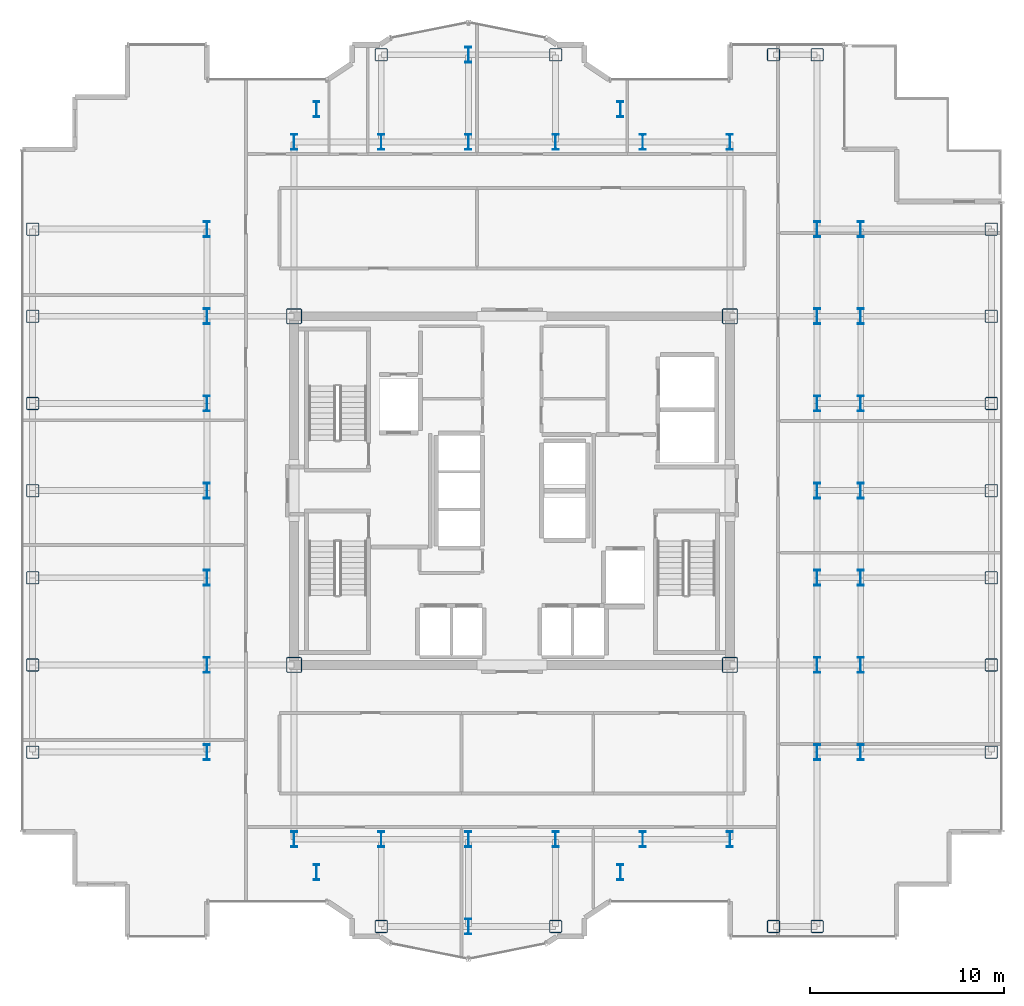
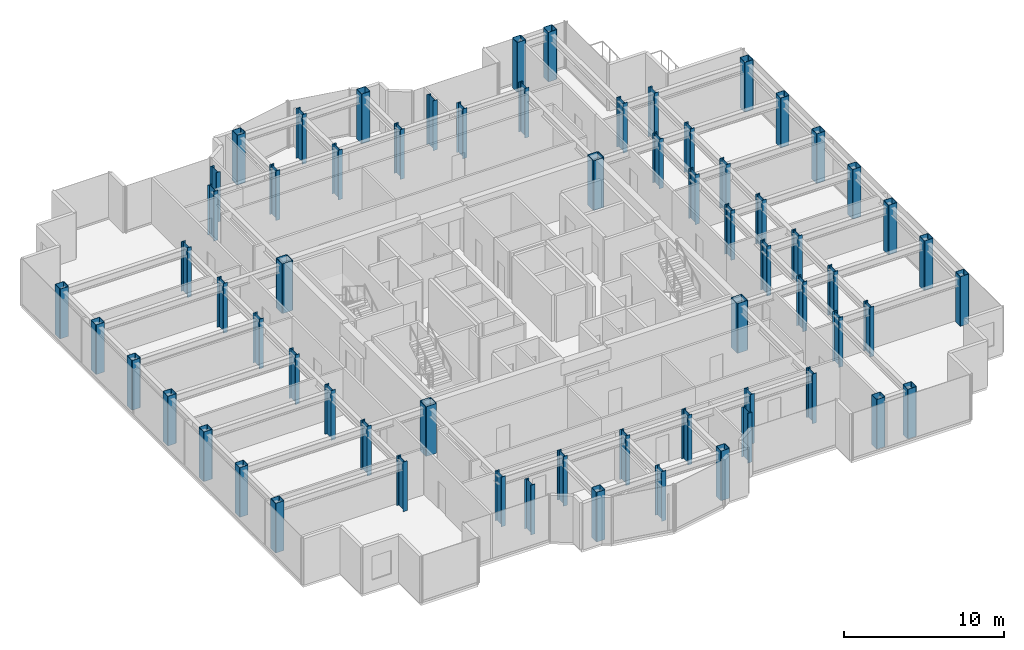
# One storey, part 1 of 20: 65 columns.
"""IFC4 building model written with IfcOpenShell, lengths in metres."""

from ifc_helpers import new_model, si_unit, direction, frame, origin, origin_2d, place, context, subcontext, project, spatial, hollow_rectangle, i_section, extrude, source, transform, mapped, material, material_profile, profile_set, type_object, element, save


model = new_model("IFC4")

# Units and contexts
model_context = context("Model", 3, precision=1e-05, world=origin(), true_north=direction((0.0, 1.0)))
body_context = subcontext(model_context, "Body", "Model", "MODEL_VIEW")
ifc_project = project(units=[si_unit("LENGTHUNIT", "METRE"), si_unit("AREAUNIT", "SQUARE_METRE"), si_unit("VOLUMEUNIT", "CUBIC_METRE"), si_unit("PLANEANGLEUNIT", "RADIAN"), si_unit("MASSUNIT", "GRAM", prefix="KILO")], contexts=[model_context])

# Site, building, storey
site_placement = place(None, origin())
site = spatial("IfcSite", under=ifc_project, at=site_placement, CompositionType="ELEMENT")
building_placement = place(site_placement, origin())
building = spatial("IfcBuilding", under=site, at=building_placement, Name="Nefas-Gora Pilgrimage Tower", CompositionType="ELEMENT")
storey_placement = place(building_placement, frame((0.0, 0.0, 221.800048828125)))
storey = spatial("IfcBuildingStorey", under=building, at=storey_placement, Name="L55", CompositionType="ELEMENT", Elevation=221.800048828125)

# Columns
ifc_material = material(Name="Steel S460", Category="steel")
ifc_material_profile_1 = material_profile(ifc_material, i_section(OverallWidth=0.302978515625, OverallDepth=0.81396484375, WebThickness=0.02099609375, FlangeThickness=0.0400390625, FilletRadius=0.030029296875, at=origin_2d()), Name="HEM 800")
ifc_profile_set_1 = profile_set([ifc_material_profile_1], Name="Steel S460")
column_type_1 = type_object("IfcColumnType", Name="COL-WEB-HEM800", PredefinedType="COLUMN", material=ifc_profile_set_1)
shared_shape_1 = source(origin(), body_context, "Body", "SweptSolid", [
    extrude(i_section(OverallWidth=0.302978515625, OverallDepth=0.81396484375, WebThickness=0.02099609375, FlangeThickness=0.0400390625, FilletRadius=0.030029296875, at=origin_2d()), origin(), (0.0, 0.0, 1.0), 3.800048828125),
])
for number, where, z_axis, x_axis, name in (
    (1, (-15.75, -13.5, 0.0), (0.0, 0.0, 1.0), (1.0, 0.0, 0.0), "L55 Tower Column CW-02.8"),
    (2, (-15.75, -9.0, 0.0), (0.0, 0.0, 1.0), (1.0, 0.0, 0.0), "L55 Tower Column CW-02.9"),
    (3, (-15.75, -4.5, 0.0), (0.0, 0.0, 1.0), (1.0, 0.0, 0.0), "L55 Tower Column CW-02.10"),
    (4, (-15.75, 0.0, 0.0), (0.0, 0.0, 1.0), (1.0, 0.0, 0.0), "L55 Tower Column CW-02.11"),
    (5, (-15.75, 4.5, 0.0), (0.0, 0.0, 1.0), (1.0, 0.0, 0.0), "L55 Tower Column CW-02.12"),
    (6, (-15.75, 9.0, 0.0), (0.0, 0.0, 1.0), (1.0, 0.0, 0.0), "L55 Tower Column CW-02.13"),
    (7, (-15.75, 13.5, 0.0), (0.0, 0.0, 1.0), (1.0, 0.0, 0.0), "L55 Tower Column CW-02.14"),
    (8, (-11.25, -18.0, 0.0), (0.0, 0.0, 1.0), (1.0, 0.0, 0.0), "L55 Tower Column CW-02.15"),
    (9, (-11.25, 18.0, 0.0), (0.0, 0.0, 1.0), (1.0, 0.0, 0.0), "L55 Tower Column CW-02.18"),
    (10, (-10.091064453125, -19.696044921875, 0.0), (0.0, 0.0, 1.0), (1.0, 0.0, 0.0), "L55 Tower Column CW-02.19"),
    (11, (-10.091064453125, 19.696044921875, 0.0), (0.0, 0.0, 1.0), (1.0, 0.0, 0.0), "L55 Tower Column CW-02.20"),
    (12, (-6.75, -18.0, 0.0), (0.0, 0.0, 1.0), (1.0, 0.0, 0.0), "L55 Tower Column CW-02.22"),
    (13, (-6.75, 18.0, 0.0), (0.0, 0.0, 1.0), (1.0, 0.0, 0.0), "L55 Tower Column CW-02.23"),
    (14, (-2.25, -22.5, 0.0), (0.0, 0.0, 1.0), (1.0, 0.0, 0.0), "L55 Tower Column CW-02.25"),
    (15, (-2.25, -18.0, 0.0), (0.0, 0.0, 1.0), (1.0, 0.0, 0.0), "L55 Tower Column CW-02.26"),
    (16, (-2.25, 18.0, 0.0), (0.0, 0.0, 1.0), (1.0, 0.0, 0.0), "L55 Tower Column CW-02.27"),
    (17, (-2.25, 22.5, 0.0), (0.0, 0.0, 1.0), (1.0, 0.0, 0.0), "L55 Tower Column CW-02.28"),
    (18, (2.25, -18.0, 0.0), (0.0, 0.0, 1.0), (1.0, 0.0, 0.0), "L55 Tower Column CW-02.30"),
    (19, (2.25, 18.0, 0.0), (0.0, 0.0, 1.0), (1.0, 0.0, 0.0), "L55 Tower Column CW-02.31"),
    (20, (5.591064453125, -19.696044921875, 0.0), (0.0, 0.0, 1.0), (1.0, 0.0, 0.0), "L55 Tower Column CW-02.33"),
    (21, (5.591064453125, 19.696044921875, 0.0), (0.0, 0.0, 1.0), (1.0, 0.0, 0.0), "L55 Tower Column CW-02.34"),
    (22, (6.75, -18.0, 0.0), (0.0, 0.0, 1.0), (1.0, 0.0, 0.0), "L55 Tower Column CW-02.35"),
    (23, (6.75, 18.0, 0.0), (0.0, 0.0, 1.0), (1.0, 0.0, 0.0), "L55 Tower Column CW-02.36"),
    (24, (11.25, -18.0, 0.0), (0.0, 0.0, 1.0), (1.0, 0.0, 0.0), "L55 Tower Column CW-02.37"),
    (25, (11.25, 18.0, 0.0), (0.0, 0.0, 1.0), (1.0, 0.0, 0.0), "L55 Tower Column CW-02.40"),
    (26, (15.75, -13.5, 0.0), (0.0, 0.0, 1.0), (1.0, 0.0, 0.0), "L55 Tower Column CW-02.44"),
    (27, (15.75, -9.0, 0.0), (0.0, 0.0, 1.0), (1.0, 0.0, 0.0), "L55 Tower Column CW-02.45"),
    (28, (15.75, -4.5, 0.0), (0.0, 0.0, 1.0), (1.0, 0.0, 0.0), "L55 Tower Column CW-02.46"),
    (29, (15.75, 0.0, 0.0), (0.0, 0.0, 1.0), (1.0, 0.0, 0.0), "L55 Tower Column CW-02.47"),
    (30, (15.75, 4.5, 0.0), (0.0, 0.0, 1.0), (1.0, 0.0, 0.0), "L55 Tower Column CW-02.48"),
    (31, (15.75, 9.0, 0.0), (0.0, 0.0, 1.0), (1.0, 0.0, 0.0), "L55 Tower Column CW-02.49"),
    (32, (15.75, 13.5, 0.0), (0.0, 0.0, 1.0), (1.0, 0.0, 0.0), "L55 Tower Column CW-02.50"),
    (33, (18.0, -13.5, 0.0), (0.0, 0.0, 1.0), (1.0, 0.0, 0.0), "L55 Tower Column CW-02.52"),
    (34, (18.0, -9.0, 0.0), (0.0, 0.0, 1.0), (1.0, 0.0, 0.0), "L55 Tower Column CW-02.53"),
    (35, (18.0, -4.5, 0.0), (0.0, 0.0, 1.0), (1.0, 0.0, 0.0), "L55 Tower Column CW-02.54"),
    (36, (18.0, 0.0, 0.0), (0.0, 0.0, 1.0), (1.0, 0.0, 0.0), "L55 Tower Column CW-02.55"),
    (37, (18.0, 4.5, 0.0), (0.0, 0.0, 1.0), (1.0, 0.0, 0.0), "L55 Tower Column CW-02.56"),
    (38, (18.0, 9.0, 0.0), (0.0, 0.0, 1.0), (1.0, 0.0, 0.0), "L55 Tower Column CW-02.57"),
    (39, (18.0, 13.5, 0.0), (0.0, 0.0, 1.0), (1.0, 0.0, 0.0), "L55 Tower Column CW-02.58"),
):
    element("IfcColumn", number, at=place(storey_placement, frame(where, z_axis=z_axis, x_axis=x_axis)), inside=storey, type_object=column_type_1, Name=name, PredefinedType="COLUMN", context=body_context, shape_type="MappedRepresentation", body=[
        mapped(shared_shape_1, transform((0.0, 0.0, 0.0), x_axis=(1.0, 0.0, 0.0), y_axis=(0.0, 1.0, 0.0), z_axis=(0.0, 0.0, 1.0), scale=1.0)),
    ])
ifc_material_profile_2 = material_profile(ifc_material, hollow_rectangle(XDim=0.800048828125, YDim=0.800048828125, WallThickness=0.0400390625, InnerFilletRadius=0.0400390625, OuterFilletRadius=0.080078125, at=origin_2d()), Name="BOX 800x800x40")
ifc_profile_set_2 = profile_set([ifc_material_profile_2], Name="Steel S460")
column_type_2 = type_object("IfcColumnType", Name="COL-CORE-800", PredefinedType="COLUMN", material=ifc_profile_set_2)
shared_shape_2 = source(origin(), body_context, "Body", "SweptSolid", [
    extrude(hollow_rectangle(XDim=0.800048828125, YDim=0.800048828125, WallThickness=0.0400390625, InnerFilletRadius=0.0400390625, OuterFilletRadius=0.080078125, at=origin_2d()), origin(), (0.0, 0.0, 1.0), 3.800048828125),
])
for number, where, z_axis, x_axis, name in (
    (40, (-11.25, -9.0, 0.0), (0.0, 0.0, 1.0), (1.0, 0.0, 0.0), "L55 Tower Column CC-Z2.16"),
    (41, (-11.25, 9.0, 0.0), (0.0, 0.0, 1.0), (1.0, 0.0, 0.0), "L55 Tower Column CC-Z2.17"),
    (42, (11.25, -9.0, 0.0), (0.0, 0.0, 1.0), (1.0, 0.0, 0.0), "L55 Tower Column CC-Z2.38"),
    (43, (11.25, 9.0, 0.0), (0.0, 0.0, 1.0), (1.0, 0.0, 0.0), "L55 Tower Column CC-Z2.39"),
):
    element("IfcColumn", number, at=place(storey_placement, frame(where, z_axis=z_axis, x_axis=x_axis)), inside=storey, type_object=column_type_2, Name=name, PredefinedType="COLUMN", context=body_context, shape_type="MappedRepresentation", body=[
        mapped(shared_shape_2, transform((0.0, 0.0, 0.0), x_axis=(1.0, 0.0, 0.0), y_axis=(0.0, 1.0, 0.0), z_axis=(0.0, 0.0, 1.0), scale=1.0)),
    ])
ifc_material_profile_3 = material_profile(ifc_material, hollow_rectangle(XDim=0.64990234375, YDim=0.64990234375, WallThickness=0.031982421875, InnerFilletRadius=0.031982421875, OuterFilletRadius=0.06396484375, at=origin_2d()), Name="BOX 650x650x32")
ifc_profile_set_3 = profile_set([ifc_material_profile_3], Name="Steel S460")
column_type_3 = type_object("IfcColumnType", Name="COL-TUBE-650", PredefinedType="COLUMN", material=ifc_profile_set_3)
shared_shape_3 = source(origin(), body_context, "Body", "SweptSolid", [
    extrude(hollow_rectangle(XDim=0.64990234375, YDim=0.64990234375, WallThickness=0.031982421875, InnerFilletRadius=0.031982421875, OuterFilletRadius=0.06396484375, at=origin_2d()), origin(), (0.0, 0.0, 1.0), 3.800048828125),
])
for number, where, z_axis, x_axis, name in (
    (44, (-24.75, -13.5, 0.0), (0.0, 0.0, 1.0), (1.0, 0.0, 0.0), "L55 Tower Column C-Z3.1"),
    (45, (-24.75, -9.0, 0.0), (0.0, 0.0, 1.0), (1.0, 0.0, 0.0), "L55 Tower Column C-Z3.2"),
    (46, (-24.75, -4.5, 0.0), (0.0, 0.0, 1.0), (1.0, 0.0, 0.0), "L55 Tower Column C-Z3.3"),
    (47, (-24.75, 0.0, 0.0), (0.0, 0.0, 1.0), (1.0, 0.0, 0.0), "L55 Tower Column C-Z3.4"),
    (48, (-24.75, 4.5, 0.0), (0.0, 0.0, 1.0), (1.0, 0.0, 0.0), "L55 Tower Column C-Z3.5"),
    (49, (-24.75, 9.0, 0.0), (0.0, 0.0, 1.0), (1.0, 0.0, 0.0), "L55 Tower Column C-Z3.6"),
    (50, (-24.75, 13.5, 0.0), (0.0, 0.0, 1.0), (1.0, 0.0, 0.0), "L55 Tower Column C-Z3.7"),
    (51, (-6.75, -22.5, 0.0), (0.0, 0.0, 1.0), (1.0, 0.0, 0.0), "L55 Tower Column C-Z3.21"),
    (52, (-6.75, 22.5, 0.0), (0.0, 0.0, 1.0), (1.0, 0.0, 0.0), "L55 Tower Column C-Z3.24"),
    (53, (2.25, -22.5, 0.0), (0.0, 0.0, 1.0), (1.0, 0.0, 0.0), "L55 Tower Column C-Z3.29"),
    (54, (2.25, 22.5, 0.0), (0.0, 0.0, 1.0), (1.0, 0.0, 0.0), "L55 Tower Column C-Z3.32"),
    (55, (13.5, -22.5, 0.0), (0.0, 0.0, 1.0), (1.0, 0.0, 0.0), "L55 Tower Column C-Z3.41"),
    (56, (13.5, 22.5, 0.0), (0.0, 0.0, 1.0), (1.0, 0.0, 0.0), "L55 Tower Column C-Z3.42"),
    (57, (15.75, -22.5, 0.0), (0.0, 0.0, 1.0), (1.0, 0.0, 0.0), "L55 Tower Column C-Z3.43"),
    (58, (15.75, 22.5, 0.0), (0.0, 0.0, 1.0), (1.0, 0.0, 0.0), "L55 Tower Column C-Z3.51"),
    (59, (24.75, -13.5, 0.0), (0.0, 0.0, 1.0), (1.0, 0.0, 0.0), "L55 Tower Column C-Z3.59"),
    (60, (24.75, -9.0, 0.0), (0.0, 0.0, 1.0), (1.0, 0.0, 0.0), "L55 Tower Column C-Z3.60"),
    (61, (24.75, -4.5, 0.0), (0.0, 0.0, 1.0), (1.0, 0.0, 0.0), "L55 Tower Column C-Z3.61"),
    (62, (24.75, 0.0, 0.0), (0.0, 0.0, 1.0), (1.0, 0.0, 0.0), "L55 Tower Column C-Z3.62"),
    (63, (24.75, 4.5, 0.0), (0.0, 0.0, 1.0), (1.0, 0.0, 0.0), "L55 Tower Column C-Z3.63"),
    (64, (24.75, 9.0, 0.0), (0.0, 0.0, 1.0), (1.0, 0.0, 0.0), "L55 Tower Column C-Z3.64"),
    (65, (24.75, 13.5, 0.0), (0.0, 0.0, 1.0), (1.0, 0.0, 0.0), "L55 Tower Column C-Z3.65"),
):
    element("IfcColumn", number, at=place(storey_placement, frame(where, z_axis=z_axis, x_axis=x_axis)), inside=storey, type_object=column_type_3, Name=name, PredefinedType="COLUMN", context=body_context, shape_type="MappedRepresentation", body=[
        mapped(shared_shape_3, transform((0.0, 0.0, 0.0), x_axis=(1.0, 0.0, 0.0), y_axis=(0.0, 1.0, 0.0), z_axis=(0.0, 0.0, 1.0), scale=1.0)),
    ])

save(model, "model.ifc")
